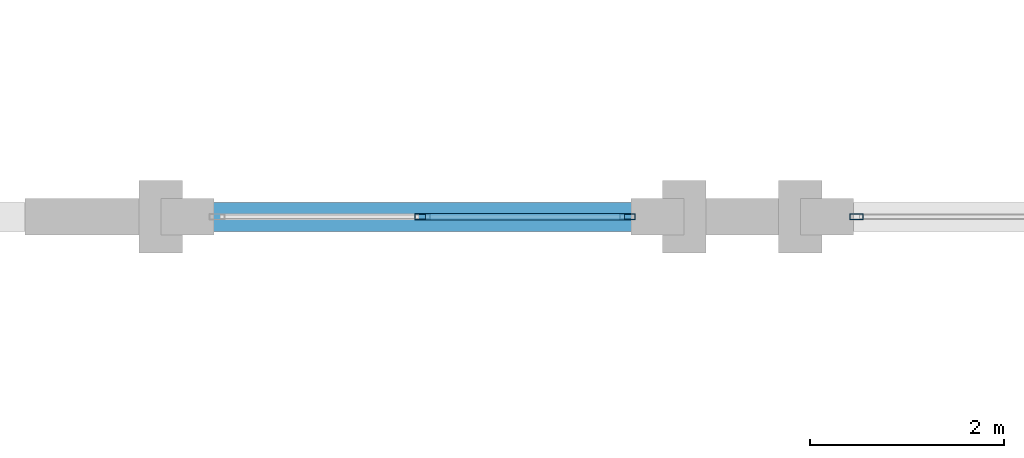
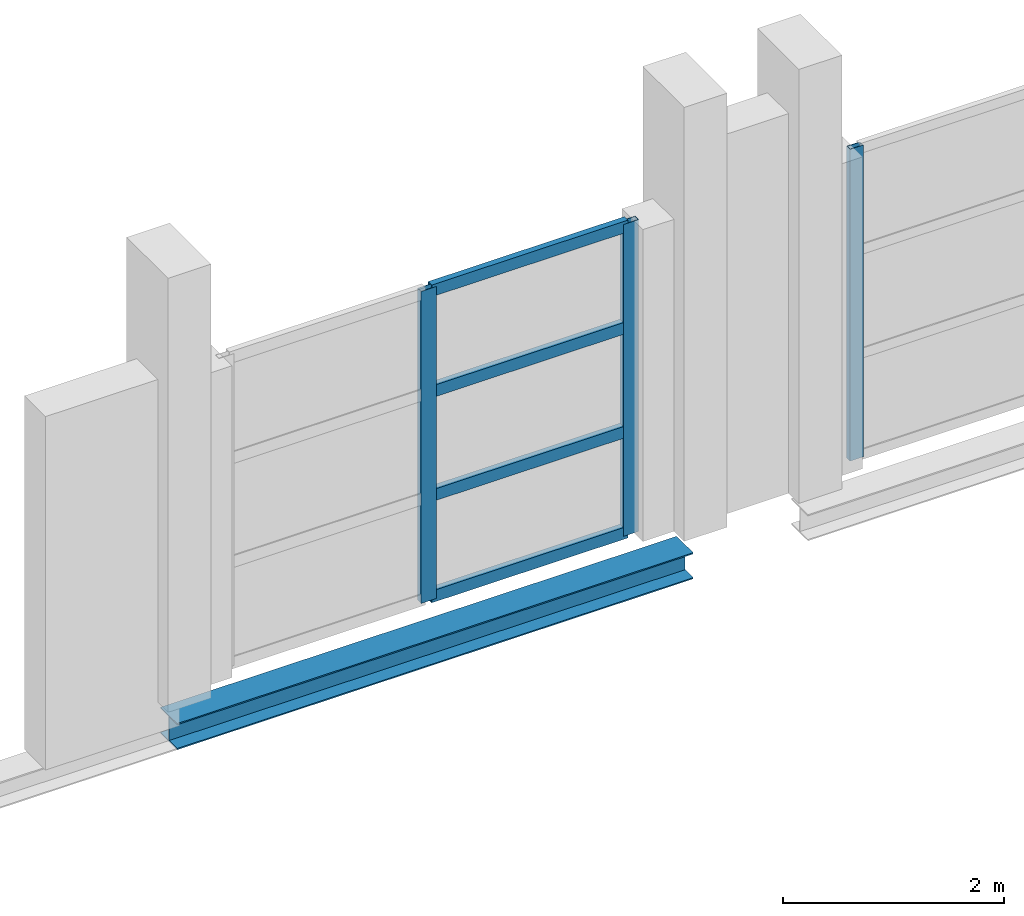
# One storey, part 23 of 86: 7 members, 1 beam, 2 elements without a shape of their own.
"""IFC4 building model written with IfcOpenShell, lengths in metres."""

from ifc_helpers import new_model, si_unit, direction, frame, origin, origin_2d, place, context, subcontext, project, spatial, hollow_rectangle, i_section, extrude, material, layer, layer_set, material_profile, profile_set, type_object, element, aggregate, save


model = new_model("IFC4")

# Units and contexts
model_context = context("Model", 3, precision=1e-05, world=origin(), true_north=direction((0.0, 1.0)))
body_context = subcontext(model_context, "Body", "Model", "MODEL_VIEW")
ifc_project = project(units=[si_unit("LENGTHUNIT", "METRE"), si_unit("AREAUNIT", "SQUARE_METRE"), si_unit("VOLUMEUNIT", "CUBIC_METRE"), si_unit("PLANEANGLEUNIT", "RADIAN"), si_unit("MASSUNIT", "GRAM", prefix="KILO")], contexts=[model_context])

# Site, building, storey
site_placement = place(None, origin())
site = spatial("IfcSite", under=ifc_project, at=site_placement, CompositionType="ELEMENT")
building_placement = place(site_placement, origin())
building = spatial("IfcBuilding", under=site, at=building_placement, Name="Zilviju Railside Exhibition Hall", CompositionType="ELEMENT")
storey_placement = place(building_placement, frame((0.0, 0.0, 12.60009765625)))
storey = spatial("IfcBuildingStorey", under=building, at=storey_placement, Name="L04", CompositionType="ELEMENT", Elevation=12.60009765625)

# Beam
ifc_material_1 = material(Name="Steel S355J2", Category="steel")
ifc_material_profile_1 = material_profile(ifc_material_1, i_section(OverallWidth=0.300048828125, OverallDepth=0.2900390625, WebThickness=0.008544921875, FlangeThickness=0.013916015625, at=origin_2d()), Name="HEA 300")
ifc_profile_set_1 = profile_set([ifc_material_profile_1], Name="Steel S355J2")
beam_type = type_object("IfcBeamType", Name="BM-HEA300", PredefinedType="SPANDREL", material=ifc_profile_set_1)
beam_placement = place(storey_placement, frame((120.0, 84.0, -0.485107421875), z_axis=(1.0, 0.0, 0.0), x_axis=(0.0, 1.0, 0.0)))
element("IfcBeam", 1, at=beam_placement, inside=storey, type_object=beam_type, Name="Primary Girder L04 Y=84.0 (120.0..125.4)", PredefinedType="SPANDREL", context=body_context, shape_type="SweptSolid", body=[
    extrude(i_section(OverallWidth=0.300048828125, OverallDepth=0.2900390625, WebThickness=0.008544921875, FlangeThickness=0.013916015625, at=origin_2d()), origin(), (0.0, 0.0, 1.0), 5.39990234375),
])

# Curtain wall, member
ifc_material_2 = material(Name="Thermally broken aluminium-steel triple-glazed curtain wall", Category="steel")
ifc_layer_1 = layer(ifc_material_2, 0.179931640625)
ifc_layer_set_1 = layer_set([ifc_layer_1], Name="Thermally broken aluminium-steel triple-glazed curtain wall")
curtain_wall_type_1 = type_object("IfcCurtainWallType", Name="CW-BAY-13", PredefinedType="USERDEFINED", material=ifc_layer_set_1)
curtain_wall_1_placement = place(storey_placement, origin())
curtain_wall_1 = element("IfcCurtainWall", 2, at=curtain_wall_1_placement, inside=storey, type_object=curtain_wall_type_1, Name="North Hall Garden Court Curtain Wall L04 (127..132)", ObjectType="GLAZED CURTAIN WALL", PredefinedType="USERDEFINED")
ifc_material_3 = material(Name="Thermally broken anodized aluminium mullion", Category="aluminium")
ifc_material_profile_2 = material_profile(ifc_material_3, hollow_rectangle(XDim=0.06005859375, YDim=0.139892578125, WallThickness=0.0048828125, at=origin_2d()), Name="MULLION 140x60x5")
ifc_profile_set_2 = profile_set([ifc_material_profile_2], Name="Thermally broken anodized aluminium mullion")
member_type_1 = type_object("IfcMemberType", Name="CWM-60x140", PredefinedType="MULLION", material=ifc_profile_set_2)
member_1_placement = place(storey_placement, frame((127.179931640625, 84.0, 0.0), z_axis=(0.0, 0.0, 1.0), x_axis=(0.0, -1.0, 0.0)))
member_1 = element("IfcMember", 3, at=member_1_placement, type_object=member_type_1, Name="CW-13 mullion 3", PredefinedType="MULLION", context=body_context, shape_type="SweptSolid", body=[
    extrude(hollow_rectangle(XDim=0.06005859375, YDim=0.139892578125, WallThickness=0.0048828125, at=origin_2d()), origin(), (0.0, 0.0, 1.0), 3.449951171875),
])
aggregate(curtain_wall_1, [member_1])

# Curtain wall, members
ifc_layer_2 = layer(ifc_material_2, 0.179931640625)
ifc_layer_set_2 = layer_set([ifc_layer_2], Name="Thermally broken aluminium-steel triple-glazed curtain wall")
curtain_wall_type_2 = type_object("IfcCurtainWallType", Name="CW-BAY-12", PredefinedType="USERDEFINED", material=ifc_layer_set_2)
curtain_wall_2_placement = place(storey_placement, origin())
curtain_wall_2 = element("IfcCurtainWall", 4, at=curtain_wall_2_placement, inside=storey, type_object=curtain_wall_type_2, Name="North Hall Garden Court Curtain Wall L04 (120..125)", ObjectType="GLAZED CURTAIN WALL", PredefinedType="USERDEFINED")
ifc_material_profile_3 = material_profile(ifc_material_3, hollow_rectangle(XDim=0.06494140625, YDim=0.159912109375, WallThickness=0.0048828125, at=origin_2d()), Name="MULLION 160x65x5")
ifc_profile_set_3 = profile_set([ifc_material_profile_3], Name="Thermally broken anodized aluminium mullion")
member_type_2 = type_object("IfcMemberType", Name="CWM-65x160", PredefinedType="MULLION", material=ifc_profile_set_3)
member_2_placement = place(storey_placement, frame((124.8173828125, 84.0, 0.0), z_axis=(0.0, 0.0, 1.0), x_axis=(0.0, -1.0, 0.0)))
member_2 = element("IfcMember", 5, at=member_2_placement, type_object=member_type_2, Name="CW-12 mullion 1", PredefinedType="MULLION", context=body_context, shape_type="SweptSolid", body=[
    extrude(hollow_rectangle(XDim=0.06494140625, YDim=0.159912109375, WallThickness=0.0048828125, at=origin_2d()), origin(), (0.0, 0.0, 1.0), 3.449951171875),
])
member_3_placement = place(storey_placement, frame((122.699951171875, 84.0, 0.0), z_axis=(0.0, 0.0, 1.0), x_axis=(0.0, -1.0, 0.0)))
member_3 = element("IfcMember", 6, at=member_3_placement, type_object=member_type_2, Name="CW-12 mullion 2", PredefinedType="MULLION", context=body_context, shape_type="SweptSolid", body=[
    extrude(hollow_rectangle(XDim=0.06494140625, YDim=0.159912109375, WallThickness=0.0048828125, at=origin_2d()), origin(), (0.0, 0.0, 1.0), 3.449951171875),
])
ifc_material_4 = material(Name="Thermally broken anodized aluminium transom", Category="aluminium")
ifc_material_profile_4 = material_profile(ifc_material_4, hollow_rectangle(XDim=0.06494140625, YDim=0.1298828125, WallThickness=0.0048828125, at=origin_2d()), Name="TRANSOM 130x65x5")
ifc_profile_set_4 = profile_set([ifc_material_profile_4], Name="Thermally broken anodized aluminium transom")
member_type_3 = type_object("IfcMemberType", Name="CWT-65x130", PredefinedType="USERDEFINED", material=ifc_profile_set_4)
member_4_placement = place(storey_placement, frame((124.784912109375, 84.0, 0.032470703125), z_axis=(-1.0, 0.0, 0.0), x_axis=(0.0, -1.0, 0.0)))
member_4 = element("IfcMember", 7, at=member_4_placement, type_object=member_type_3, Name="CW-12 transom 1.1", ObjectType="TRANSOM", PredefinedType="USERDEFINED", context=body_context, shape_type="SweptSolid", body=[
    extrude(hollow_rectangle(XDim=0.06494140625, YDim=0.1298828125, WallThickness=0.0048828125, at=origin_2d()), origin(), (0.0, 0.0, 1.0), 2.052490234375),
])
member_5_placement = place(storey_placement, frame((124.784912109375, 84.0, 1.14990234375), z_axis=(-1.0, 0.0, 0.0), x_axis=(0.0, -1.0, 0.0)))
member_5 = element("IfcMember", 8, at=member_5_placement, type_object=member_type_3, Name="CW-12 transom 1.2", ObjectType="TRANSOM", PredefinedType="USERDEFINED", context=body_context, shape_type="SweptSolid", body=[
    extrude(hollow_rectangle(XDim=0.06494140625, YDim=0.1298828125, WallThickness=0.0048828125, at=origin_2d()), origin(), (0.0, 0.0, 1.0), 2.052490234375),
])
member_6_placement = place(storey_placement, frame((124.784912109375, 84.0, 2.2998046875), z_axis=(-1.0, 0.0, 0.0), x_axis=(0.0, -1.0, 0.0)))
member_6 = element("IfcMember", 9, at=member_6_placement, type_object=member_type_3, Name="CW-12 transom 1.3", ObjectType="TRANSOM", PredefinedType="USERDEFINED", context=body_context, shape_type="SweptSolid", body=[
    extrude(hollow_rectangle(XDim=0.06494140625, YDim=0.1298828125, WallThickness=0.0048828125, at=origin_2d()), origin(), (0.0, 0.0, 1.0), 2.052490234375),
])
member_7_placement = place(storey_placement, frame((124.784912109375, 84.0, 3.41748046875), z_axis=(-1.0, 0.0, 0.0), x_axis=(0.0, -1.0, 0.0)))
member_7 = element("IfcMember", 10, at=member_7_placement, type_object=member_type_3, Name="CW-12 transom 1.4", ObjectType="TRANSOM", PredefinedType="USERDEFINED", context=body_context, shape_type="SweptSolid", body=[
    extrude(hollow_rectangle(XDim=0.06494140625, YDim=0.1298828125, WallThickness=0.0048828125, at=origin_2d()), origin(), (0.0, 0.0, 1.0), 2.052490234375),
])
aggregate(curtain_wall_2, [member_2, member_3, member_4, member_5, member_6, member_7])

save(model, "model.ifc")
